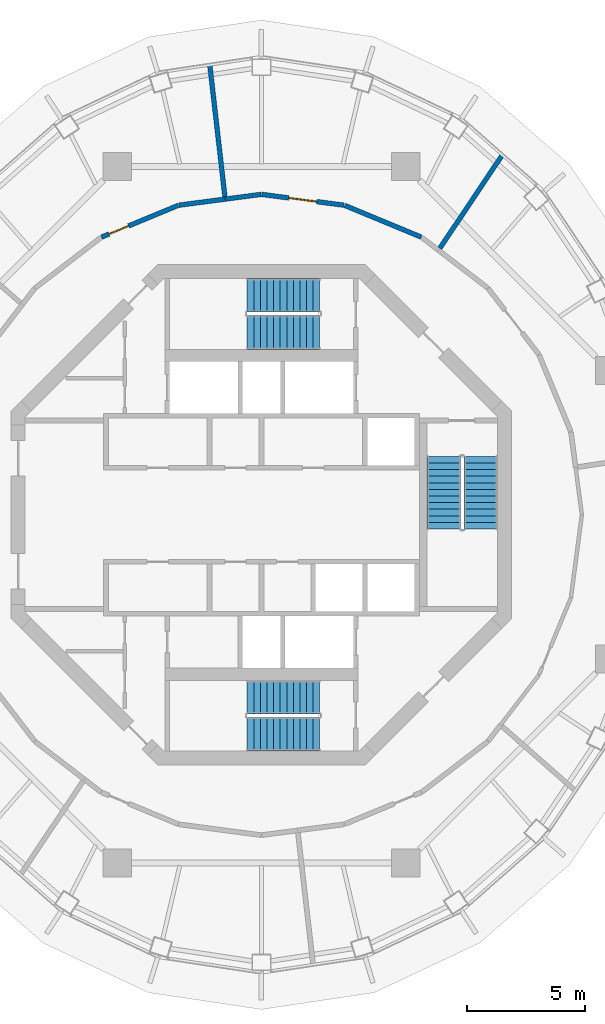
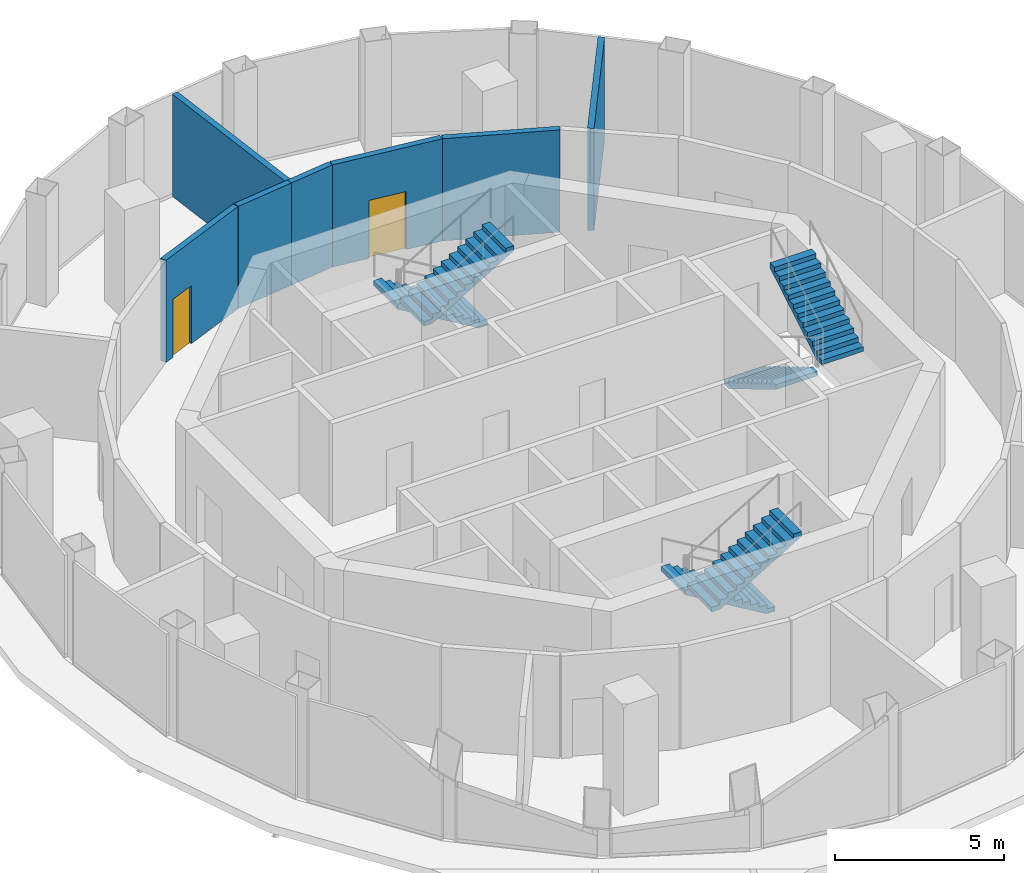
# One storey, part 10 of 11: 7 walls, 6 stair flights, 2 doors, 2 openings, 3 elements without a shape of their own.
"""IFC4 building model written with IfcOpenShell, lengths in metres."""

from ifc_helpers import new_model, si_unit, direction, frame, frame_2d, origin, place, context, subcontext, project, spatial, polyline, rectangle, outline, extrude, material, layer, layer_set, type_object, element, fill, aggregate, save


model = new_model("IFC4")

# Units and contexts
model_context = context("Model", 3, precision=1e-05, world=origin(), true_north=direction((0.0, 1.0)))
body_context = subcontext(model_context, "Body", "Model", "MODEL_VIEW")
ifc_project = project(units=[si_unit("LENGTHUNIT", "METRE"), si_unit("AREAUNIT", "SQUARE_METRE"), si_unit("VOLUMEUNIT", "CUBIC_METRE"), si_unit("PLANEANGLEUNIT", "RADIAN"), si_unit("MASSUNIT", "GRAM", prefix="KILO")], contexts=[model_context])

# Site, building, storey
site_placement = place(None, origin())
site = spatial("IfcSite", under=ifc_project, at=site_placement, CompositionType="ELEMENT")
building_placement = place(site_placement, origin())
building = spatial("IfcBuilding", under=site, at=building_placement, Name="Nagisa Residences", CompositionType="ELEMENT")
storey_placement = place(building_placement, frame((0.0, 0.0, 324.89990234375)))
storey = spatial("IfcBuildingStorey", under=building, at=storey_placement, Name="L80", CompositionType="ELEMENT", Elevation=324.89990234375)

# Wall, opening, door
ifc_material_1 = material(Name="Gypsum board on steel studs", Category="steel")
ifc_layer = layer(ifc_material_1, 0.199951171875)
ifc_layer_set = layer_set([ifc_layer], Name="Plant room wall EI120 200")
wall_type = type_object("IfcWallType", Name="Plant room wall EI120 200", PredefinedType="PARTITIONING", material=ifc_layer_set)
wall_1_placement = place(storey_placement, frame((-6.785888671875, 11.78369140625, 0.0), z_axis=(0.0, 0.0, 1.0), x_axis=(0.92386297064, 0.382723413813, 0.0)))
wall_1 = element("IfcWall", 1, at=wall_1_placement, inside=storey, type_object=wall_type, Name="wall:L80:am018", PredefinedType="PARTITIONING", context=body_context, shape_type="SweptSolid", body=[
    extrude(rectangle(XDim=3.52001953125, YDim=0.199951171875, at=frame_2d((1.760009765625, 0.0))), origin(), (0.0, 0.0, 1.0), 3.7001953125),
])
opening_1_placement = place(wall_1_placement, frame((0.34228515625, 0.0, 0.0)))
opening_1 = element("IfcOpeningElement", 2, at=opening_1_placement, cuts=wall_1, Name="Opening L80-A03", PredefinedType="OPENING", context=body_context, shape_type="SweptSolid", body=[
    extrude(rectangle(XDim=0.89990234375, YDim=2.10009765625, at=frame_2d((0.449951171875, 1.050048828125))), frame((0.0, 0.10986328125, 0.0), z_axis=(0.0, -1.0, 0.0), x_axis=(1.0, 0.0, 0.0)), (0.0, 0.0, 1.0), 0.219970703125),
])
ifc_material_2 = material(Name="Steel fire door", Category="steel")
door_type_1 = type_object("IfcDoorType", Name="Fire door EI120 900x2100 single swing", OperationType="NOTDEFINED", PredefinedType="DOOR", material=ifc_material_2)
door_1_placement = place(opening_1_placement, origin())
door_1 = element("IfcDoor", 3, at=door_1_placement, inside=storey, type_object=door_type_1, Name="Electrical room door", OperationType="SINGLE_SWING_LEFT", OverallHeight=2.10009765625, OverallWidth=0.89990234375, PredefinedType="DOOR", context=body_context, shape_type="SweptSolid", body=[
    extrude(rectangle(XDim=0.89990234375, YDim=2.10009765625, at=frame_2d((0.449951171875, 1.050048828125))), frame((0.0, 0.02490234375, 0.0), z_axis=(0.0, -1.0, 0.0), x_axis=(1.0, 0.0, 0.0)), (0.0, 0.0, 1.0), 0.050048828125),
])
fill(opening_1, door_1)

# Walls
wall_2_placement = place(storey_placement, frame((-3.5048828125, 13.138671875, 0.0), z_axis=(0.0, 0.0, 1.0), x_axis=(0.991454295543, 0.130454512571, 0.0)))
element("IfcWall", 4, at=wall_2_placement, inside=storey, type_object=wall_type, Name="wall:L80:am020", PredefinedType="PARTITIONING", context=body_context, shape_type="SweptSolid", body=[
    extrude(rectangle(XDim=1.983642578125, YDim=0.199951171875, at=frame_2d((0.99169921875, 0.0))), origin(), (0.0, 0.0, 1.0), 3.7001953125),
])
wall_3_placement = place(storey_placement, frame((-1.549560546875, 13.496826171875, 0.0), z_axis=(0.0, 0.0, 1.0), x_axis=(-0.114057329834, 0.993474169524, 0.0)))
element("IfcWall", 5, at=wall_3_placement, inside=storey, type_object=wall_type, Name="wall:L80:am021", PredefinedType="PARTITIONING", context=body_context, shape_type="SweptSolid", body=[
    extrude(rectangle(XDim=5.608154296875, YDim=0.199951171875, at=frame_2d((2.80419921875, 0.0))), origin(), (0.0, 0.0, 1.0), 3.7001953125),
])
wall_4_placement = place(storey_placement, frame((-1.5380859375, 13.3974609375, 0.0), z_axis=(0.0, 0.0, 1.0), x_axis=(0.991449967232, 0.13048740351, 0.0)))
element("IfcWall", 6, at=wall_4_placement, inside=storey, type_object=wall_type, Name="wall:L80:am022", PredefinedType="PARTITIONING", context=body_context, shape_type="SweptSolid", body=[
    extrude(rectangle(XDim=1.5361328125, YDim=0.199951171875, at=frame_2d((0.76806640625, 0.0))), origin(), (0.0, 0.0, 1.0), 3.7001953125),
])

# Wall, opening, door
wall_5_placement = place(storey_placement, frame((0.01513671875, 13.597900390625, 0.0), z_axis=(0.0, 0.0, 1.0), x_axis=(0.991452406768, -0.130468866457, 0.0)))
wall_5 = element("IfcWall", 7, at=wall_5_placement, inside=storey, type_object=wall_type, Name="wall:L80:am024", PredefinedType="PARTITIONING", context=body_context, shape_type="SweptSolid", body=[
    extrude(rectangle(XDim=3.519775390625, YDim=0.199951171875, at=frame_2d((1.759765625, 0.0))), origin(), (0.0, 0.0, 1.0), 3.7001953125),
])
opening_2_placement = place(wall_5_placement, frame((1.159912109375, 0.0, 0.0)))
opening_2 = element("IfcOpeningElement", 8, at=opening_2_placement, cuts=wall_5, Name="Opening L80-A02", PredefinedType="OPENING", context=body_context, shape_type="SweptSolid", body=[
    extrude(rectangle(XDim=1.199951171875, YDim=2.10009765625, at=frame_2d((0.60009765625, 1.050048828125))), frame((0.0, 0.10986328125, 0.0), z_axis=(0.0, -1.0, 0.0), x_axis=(1.0, 0.0, 0.0)), (0.0, 0.0, 1.0), 0.219970703125),
])
ifc_material_3 = material(Name="Steel fire door", Category="steel")
door_type_2 = type_object("IfcDoorType", Name="Fire door EI120 1200x2100 single swing", OperationType="NOTDEFINED", PredefinedType="DOOR", material=ifc_material_3)
door_2_placement = place(opening_2_placement, frame((1.199951171875, 0.0, 0.0), x_axis=(-1.0, 0.0, 0.0)))
door_2 = element("IfcDoor", 9, at=door_2_placement, inside=storey, type_object=door_type_2, Name="Chiller room door", OperationType="SINGLE_SWING_LEFT", OverallHeight=2.10009765625, OverallWidth=1.199951171875, PredefinedType="DOOR", context=body_context, shape_type="SweptSolid", body=[
    extrude(rectangle(XDim=1.199951171875, YDim=2.10009765625, at=frame_2d((0.60009765625, 1.050048828125))), frame((0.0, 0.02490234375, 0.0), z_axis=(0.0, -1.0, 0.0), x_axis=(1.0, 0.0, 0.0)), (0.0, 0.0, 1.0), 0.050048828125),
])
fill(opening_2, door_2)

# Walls
wall_6_placement = place(storey_placement, frame((3.533935546875, 13.130859375, 0.0), z_axis=(0.0, 0.0, 1.0), x_axis=(0.92386297064, -0.382723413813, 0.0)))
element("IfcWall", 10, at=wall_6_placement, inside=storey, type_object=wall_type, Name="wall:L80:am028", PredefinedType="PARTITIONING", context=body_context, shape_type="SweptSolid", body=[
    extrude(rectangle(XDim=3.52001953125, YDim=0.199951171875, at=frame_2d((1.760009765625, 0.0))), origin(), (0.0, 0.0, 1.0), 3.7001953125),
])
wall_7_placement = place(storey_placement, frame((7.572265625, 11.311279296875, 0.0), z_axis=(0.0, 0.0, 1.0), x_axis=(0.55629198168, 0.830986901893, 0.0)))
element("IfcWall", 11, at=wall_7_placement, inside=storey, type_object=wall_type, Name="wall:L80:am032", PredefinedType="PARTITIONING", context=body_context, shape_type="SweptSolid", body=[
    extrude(rectangle(XDim=4.73974609375, YDim=0.199951171875, at=frame_2d((2.369873046875, 0.0))), origin(), (0.0, 0.0, 1.0), 3.7001953125),
])

# Stair, stair flights
ifc_material_4 = material(Name="Concrete C60", Category="concrete")
stair_type = type_object("IfcStairType", Name="Exit stair", PredefinedType="HALF_TURN_STAIR", material=ifc_material_4)
stair_1_placement = place(storey_placement, origin())
stair_1 = element("IfcStair", 12, at=stair_1_placement, inside=storey, type_object=stair_type, Name="L80 Exit stair E", PredefinedType="HALF_TURN_STAIR")
ifc_material_5 = material(Name="Concrete C60", Category="concrete")
stair_flight_type = type_object("IfcStairFlightType", Name="Exit stair flight", PredefinedType="STRAIGHT", material=ifc_material_5)
stair_flight_1_placement = place(storey_placement, frame((7.737060546875, 2.47509765625, 0.0), z_axis=(0.0, 0.0, 1.0), x_axis=(0.0, -1.0, 0.0)))
stair_flight_1 = element("IfcStairFlight", 13, at=stair_flight_1_placement, type_object=stair_flight_type, Name="ST-E flight 1", NumberOfRisers=12, NumberOfTreads=11, PredefinedType="STRAIGHT", RiserHeight=0.166666667, TreadLength=0.28, context=body_context, shape_type="SweptSolid", body=[
    extrude(outline(polyline([(0.0, 0.0), (0.0, 0.166748046875), (0.280029296875, 0.166748046875), (0.280029296875, 0.333251953125), (0.56005859375, 0.333251953125), (0.56005859375, 0.5), (0.840087890625, 0.5), (0.840087890625, 0.666748046875), (1.1201171875, 0.666748046875), (1.1201171875, 0.833251953125), (1.39990234375, 0.833251953125), (1.39990234375, 1.0), (1.679931640625, 1.0), (1.679931640625, 1.166748046875), (1.9599609375, 1.166748046875), (1.9599609375, 1.333251953125), (2.239990234375, 1.333251953125), (2.239990234375, 1.5), (2.52001953125, 1.5), (2.52001953125, 1.666748046875), (2.800048828125, 1.666748046875), (2.800048828125, 1.833251953125), (3.080078125, 1.833251953125), (3.080078125, 2.0), (3.080078125, 1.658935546875), (0.29296875, 0.0), (0.0, 0.0)])), frame((0.0, 0.71240234375, 0.0), z_axis=(0.0, -1.0, 0.0), x_axis=(1.0, 0.0, 0.0)), (0.0, 0.0, 1.0), 1.425048828125),
])
stair_flight_2_placement = place(storey_placement, frame((9.31201171875, -0.60498046875, 2.0), z_axis=(0.0, 0.0, 1.0), x_axis=(0.0, 1.0, 0.0)))
stair_flight_2 = element("IfcStairFlight", 14, at=stair_flight_2_placement, type_object=stair_flight_type, Name="ST-E flight 2", NumberOfRisers=12, NumberOfTreads=11, PredefinedType="STRAIGHT", RiserHeight=0.166666667, TreadLength=0.28, context=body_context, shape_type="SweptSolid", body=[
    extrude(outline(polyline([(0.0, 0.0), (0.0, 0.166748046875), (0.280029296875, 0.166748046875), (0.280029296875, 0.333251953125), (0.56005859375, 0.333251953125), (0.56005859375, 0.5), (0.840087890625, 0.5), (0.840087890625, 0.666748046875), (1.1201171875, 0.666748046875), (1.1201171875, 0.833251953125), (1.39990234375, 0.833251953125), (1.39990234375, 1.0), (1.679931640625, 1.0), (1.679931640625, 1.166748046875), (1.9599609375, 1.166748046875), (1.9599609375, 1.333251953125), (2.239990234375, 1.333251953125), (2.239990234375, 1.5), (2.52001953125, 1.5), (2.52001953125, 1.666748046875), (2.800048828125, 1.666748046875), (2.800048828125, 1.833251953125), (3.080078125, 1.833251953125), (3.080078125, 2.0), (3.080078125, 1.658935546875), (0.29296875, 0.0), (0.0, 0.0)])), frame((0.0, 0.71240234375, 0.0), z_axis=(0.0, -1.0, 0.0), x_axis=(1.0, 0.0, 0.0)), (0.0, 0.0, 1.0), 1.425048828125),
])
aggregate(stair_1, [stair_flight_1, stair_flight_2])

stair_2_placement = place(storey_placement, origin())
stair_2 = element("IfcStair", 15, at=stair_2_placement, inside=storey, type_object=stair_type, Name="L80 Exit stair N", PredefinedType="HALF_TURN_STAIR")
stair_flight_3_placement = place(storey_placement, frame((2.47509765625, 9.31201171875, 0.0), z_axis=(0.0, 0.0, 1.0), x_axis=(-1.0, 0.0, 0.0)))
stair_flight_3 = element("IfcStairFlight", 16, at=stair_flight_3_placement, type_object=stair_flight_type, Name="ST-N flight 1", NumberOfRisers=12, NumberOfTreads=11, PredefinedType="STRAIGHT", RiserHeight=0.166666667, TreadLength=0.28, context=body_context, shape_type="SweptSolid", body=[
    extrude(outline(polyline([(0.0, 0.0), (0.0, 0.166748046875), (0.280029296875, 0.166748046875), (0.280029296875, 0.333251953125), (0.56005859375, 0.333251953125), (0.56005859375, 0.5), (0.840087890625, 0.5), (0.840087890625, 0.666748046875), (1.1201171875, 0.666748046875), (1.1201171875, 0.833251953125), (1.39990234375, 0.833251953125), (1.39990234375, 1.0), (1.679931640625, 1.0), (1.679931640625, 1.166748046875), (1.9599609375, 1.166748046875), (1.9599609375, 1.333251953125), (2.239990234375, 1.333251953125), (2.239990234375, 1.5), (2.52001953125, 1.5), (2.52001953125, 1.666748046875), (2.800048828125, 1.666748046875), (2.800048828125, 1.833251953125), (3.080078125, 1.833251953125), (3.080078125, 2.0), (3.080078125, 1.658935546875), (0.29296875, 0.0), (0.0, 0.0)])), frame((0.0, 0.71240234375, 0.0), z_axis=(0.0, -1.0, 0.0), x_axis=(1.0, 0.0, 0.0)), (0.0, 0.0, 1.0), 1.425048828125),
])
stair_flight_4_placement = place(storey_placement, frame((-0.60498046875, 7.737060546875, 2.0), z_axis=(0.0, 0.0, 1.0), x_axis=(1.0, 0.0, 0.0)))
stair_flight_4 = element("IfcStairFlight", 17, at=stair_flight_4_placement, type_object=stair_flight_type, Name="ST-N flight 2", NumberOfRisers=12, NumberOfTreads=11, PredefinedType="STRAIGHT", RiserHeight=0.166666667, TreadLength=0.28, context=body_context, shape_type="SweptSolid", body=[
    extrude(outline(polyline([(0.0, 0.0), (0.0, 0.166748046875), (0.280029296875, 0.166748046875), (0.280029296875, 0.333251953125), (0.56005859375, 0.333251953125), (0.56005859375, 0.5), (0.840087890625, 0.5), (0.840087890625, 0.666748046875), (1.1201171875, 0.666748046875), (1.1201171875, 0.833251953125), (1.39990234375, 0.833251953125), (1.39990234375, 1.0), (1.679931640625, 1.0), (1.679931640625, 1.166748046875), (1.9599609375, 1.166748046875), (1.9599609375, 1.333251953125), (2.239990234375, 1.333251953125), (2.239990234375, 1.5), (2.52001953125, 1.5), (2.52001953125, 1.666748046875), (2.800048828125, 1.666748046875), (2.800048828125, 1.833251953125), (3.080078125, 1.833251953125), (3.080078125, 2.0), (3.080078125, 1.658935546875), (0.29296875, 0.0), (0.0, 0.0)])), frame((0.0, 0.71240234375, 0.0), z_axis=(0.0, -1.0, 0.0), x_axis=(1.0, 0.0, 0.0)), (0.0, 0.0, 1.0), 1.425048828125),
])
aggregate(stair_2, [stair_flight_3, stair_flight_4])

stair_3_placement = place(storey_placement, origin())
stair_3 = element("IfcStair", 18, at=stair_3_placement, inside=storey, type_object=stair_type, Name="L80 Exit stair S", PredefinedType="HALF_TURN_STAIR")
stair_flight_5_placement = place(storey_placement, frame((2.47509765625, -7.737060546875, 0.0), z_axis=(0.0, 0.0, 1.0), x_axis=(-1.0, 0.0, 0.0)))
stair_flight_5 = element("IfcStairFlight", 19, at=stair_flight_5_placement, type_object=stair_flight_type, Name="ST-S flight 1", NumberOfRisers=12, NumberOfTreads=11, PredefinedType="STRAIGHT", RiserHeight=0.166666667, TreadLength=0.28, context=body_context, shape_type="SweptSolid", body=[
    extrude(outline(polyline([(0.0, 0.0), (0.0, 0.166748046875), (0.280029296875, 0.166748046875), (0.280029296875, 0.333251953125), (0.56005859375, 0.333251953125), (0.56005859375, 0.5), (0.840087890625, 0.5), (0.840087890625, 0.666748046875), (1.1201171875, 0.666748046875), (1.1201171875, 0.833251953125), (1.39990234375, 0.833251953125), (1.39990234375, 1.0), (1.679931640625, 1.0), (1.679931640625, 1.166748046875), (1.9599609375, 1.166748046875), (1.9599609375, 1.333251953125), (2.239990234375, 1.333251953125), (2.239990234375, 1.5), (2.52001953125, 1.5), (2.52001953125, 1.666748046875), (2.800048828125, 1.666748046875), (2.800048828125, 1.833251953125), (3.080078125, 1.833251953125), (3.080078125, 2.0), (3.080078125, 1.658935546875), (0.29296875, 0.0), (0.0, 0.0)])), frame((0.0, 0.71240234375, 0.0), z_axis=(0.0, -1.0, 0.0), x_axis=(1.0, 0.0, 0.0)), (0.0, 0.0, 1.0), 1.425048828125),
])
stair_flight_6_placement = place(storey_placement, frame((-0.60498046875, -9.31201171875, 2.0), z_axis=(0.0, 0.0, 1.0), x_axis=(1.0, 0.0, 0.0)))
stair_flight_6 = element("IfcStairFlight", 20, at=stair_flight_6_placement, type_object=stair_flight_type, Name="ST-S flight 2", NumberOfRisers=12, NumberOfTreads=11, PredefinedType="STRAIGHT", RiserHeight=0.166666667, TreadLength=0.28, context=body_context, shape_type="SweptSolid", body=[
    extrude(outline(polyline([(0.0, 0.0), (0.0, 0.166748046875), (0.280029296875, 0.166748046875), (0.280029296875, 0.333251953125), (0.56005859375, 0.333251953125), (0.56005859375, 0.5), (0.840087890625, 0.5), (0.840087890625, 0.666748046875), (1.1201171875, 0.666748046875), (1.1201171875, 0.833251953125), (1.39990234375, 0.833251953125), (1.39990234375, 1.0), (1.679931640625, 1.0), (1.679931640625, 1.166748046875), (1.9599609375, 1.166748046875), (1.9599609375, 1.333251953125), (2.239990234375, 1.333251953125), (2.239990234375, 1.5), (2.52001953125, 1.5), (2.52001953125, 1.666748046875), (2.800048828125, 1.666748046875), (2.800048828125, 1.833251953125), (3.080078125, 1.833251953125), (3.080078125, 2.0), (3.080078125, 1.658935546875), (0.29296875, 0.0), (0.0, 0.0)])), frame((0.0, 0.71240234375, 0.0), z_axis=(0.0, -1.0, 0.0), x_axis=(1.0, 0.0, 0.0)), (0.0, 0.0, 1.0), 1.425048828125),
])
aggregate(stair_3, [stair_flight_5, stair_flight_6])

save(model, "model.ifc")
